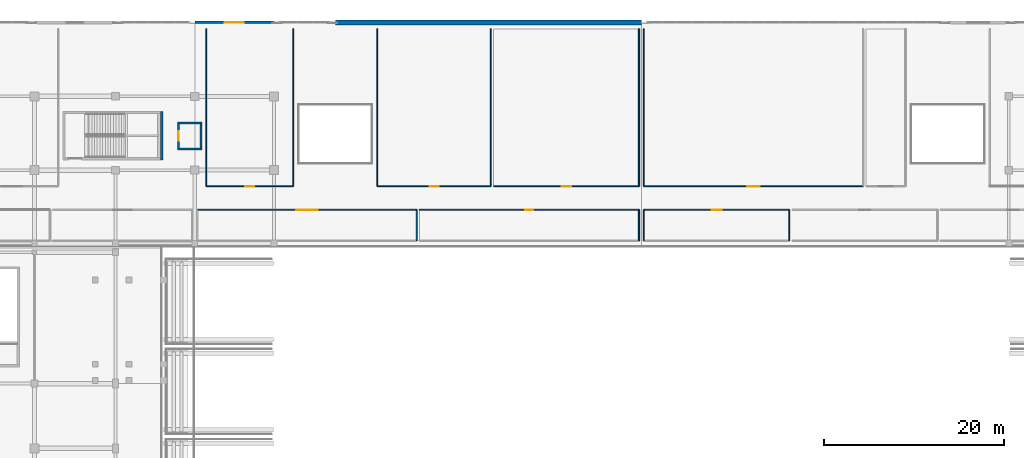
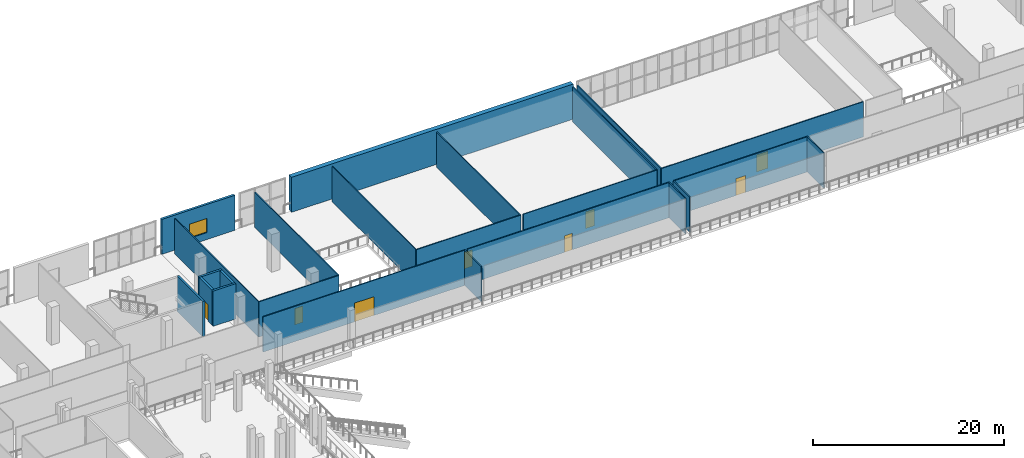
# One storey, part 86 of 129: 24 walls, 8 doors, 1 window, 9 openings.
"""IFC4 building model written with IfcOpenShell, lengths in metres."""

from ifc_helpers import new_model, si_unit, direction, frame, frame_2d, origin, place, context, subcontext, project, spatial, rectangle, extrude, material, layer, layer_set, type_object, element, fill, save


model = new_model("IFC4")

# Units and contexts
model_context = context("Model", 3, precision=1e-05, world=origin(), true_north=direction((0.0, 1.0)))
body_context = subcontext(model_context, "Body", "Model", "MODEL_VIEW")
ifc_project = project(units=[si_unit("LENGTHUNIT", "METRE"), si_unit("AREAUNIT", "SQUARE_METRE"), si_unit("VOLUMEUNIT", "CUBIC_METRE"), si_unit("PLANEANGLEUNIT", "RADIAN"), si_unit("MASSUNIT", "GRAM", prefix="KILO")], contexts=[model_context])

# Site, building, storey
site_placement = place(None, origin())
site = spatial("IfcSite", under=ifc_project, at=site_placement, CompositionType="ELEMENT")
building_placement = place(site_placement, origin())
building = spatial("IfcBuilding", under=site, at=building_placement, Name="Koshinbarg Plaza Stadium", CompositionType="ELEMENT")
storey_placement = place(building_placement, frame((0.0, 0.0, 5.39990234375)))
storey = spatial("IfcBuildingStorey", under=building, at=storey_placement, Name="L01", CompositionType="ELEMENT", Elevation=5.39990234375)

# Walls
ifc_material_1 = material(Name="Concrete C40/50", Category="concrete")
ifc_layer_1 = layer(ifc_material_1, 0.25)
ifc_layer_set_1 = layer_set([ifc_layer_1], Name="Concrete C40/50")
wall_type_1 = type_object("IfcWallType", Name="WL-CORE-250", PredefinedType="SHEAR", material=ifc_layer_set_1)
wall_1_placement = place(storey_placement, frame((68.72509765625, 136.75, 0.0), z_axis=(0.0, 0.0, 1.0), x_axis=(0.0, 1.0, 0.0)))
element("IfcWall", 1, at=wall_1_placement, inside=storey, type_object=wall_type_1, Name="L01 core stair shear wall C11-far IWL-L01-0263", PredefinedType="SHEAR", context=body_context, shape_type="SweptSolid", body=[
    extrude(rectangle(XDim=5.3701171875, YDim=0.25, at=frame_2d((2.68505859375, 0.0))), origin(), (0.0, 0.0, 1.0), 4.5),
])
for number, where, z_axis, x_axis, name in (
    (2, (70.47509765625, 137.949951171875, 0.0), (0.0, 0.0, 1.0), (1.0, 0.0, 0.0), "L01 lift shaft shear wall LP07-S IWL-L01-0962"),
    (3, (73.22509765625, 140.85009765625, 0.0), (0.0, 0.0, 1.0), (-1.0, 0.0, 0.0), "L01 lift shaft shear wall LP07-N IWL-L01-0963"),
):
    element("IfcWall", number, at=place(storey_placement, frame(where, z_axis=z_axis, x_axis=x_axis)), inside=storey, type_object=wall_type_1, Name=name, PredefinedType="SHEAR", context=body_context, shape_type="SweptSolid", body=[
        extrude(rectangle(XDim=2.75, YDim=0.25, at=frame_2d((1.375, 0.0))), origin(), (0.0, 0.0, 1.0), 4.5),
    ])

# Wall, opening, door
wall_2_placement = place(storey_placement, frame((70.60009765625, 140.85009765625, 0.0), z_axis=(0.0, 0.0, 1.0), x_axis=(0.0, -1.0, 0.0)))
wall_2 = element("IfcWall", 4, at=wall_2_placement, inside=storey, type_object=wall_type_1, Name="L01 lift shaft shear wall LP07-W IWL-L01-0964", PredefinedType="SHEAR", context=body_context, shape_type="SweptSolid", body=[
    extrude(rectangle(XDim=2.900146484375, YDim=0.25, at=frame_2d((1.4501953125, 0.0))), origin(), (0.0, 0.0, 1.0), 4.5),
])
opening_1_placement = place(wall_2_placement, frame((0.925048828125, 0.0, 0.0)))
opening_1 = element("IfcOpeningElement", 5, at=opening_1_placement, cuts=wall_2, Name="Opening D-0310", PredefinedType="OPENING", context=body_context, shape_type="SweptSolid", body=[
    extrude(rectangle(XDim=1.050048828125, YDim=2.14990234375, at=frame_2d((0.52490234375, 1.074951171875))), frame((0.0, 0.135009765625, 0.0), z_axis=(0.0, -1.0, 0.0), x_axis=(1.0, 0.0, 0.0)), (0.0, 0.0, 1.0), 0.27001953125),
])
ifc_material_2 = material(Name="Brushed stainless steel sliding lift landing door", Category="steel")
door_type_1 = type_object("IfcDoorType", Name="DR-LIFT-1050", OperationType="NOTDEFINED", PredefinedType="DOOR", material=ifc_material_2)
door_1_placement = place(opening_1_placement, origin())
door_1 = element("IfcDoor", 6, at=door_1_placement, inside=storey, type_object=door_type_1, Name="L01 lift landing door LP07", OperationType="SLIDING_TO_RIGHT", OverallHeight=2.14990234375, OverallWidth=1.050048828125, PredefinedType="DOOR", context=body_context, shape_type="SweptSolid", body=[
    extrude(rectangle(XDim=1.050048828125, YDim=2.14990234375, at=frame_2d((0.52490234375, 1.074951171875))), frame((0.0, 0.02490234375, 0.0), z_axis=(0.0, -1.0, 0.0), x_axis=(1.0, 0.0, 0.0)), (0.0, 0.0, 1.0), 0.050048828125),
])
fill(opening_1, door_1)

# Wall
wall_3_placement = place(storey_placement, frame((73.10009765625, 137.949951171875, 0.0), z_axis=(0.0, 0.0, 1.0), x_axis=(0.0, 1.0, 0.0)))
element("IfcWall", 7, at=wall_3_placement, inside=storey, type_object=wall_type_1, Name="L01 lift shaft shear wall LP07-E IWL-L01-0965", PredefinedType="SHEAR", context=body_context, shape_type="SweptSolid", body=[
    extrude(rectangle(XDim=2.900146484375, YDim=0.25, at=frame_2d((1.4501953125, 0.0))), origin(), (0.0, 0.0, 1.0), 4.5),
])

# Wall, opening, window
ifc_material_3 = material(Name="Terracotta-ochre mineral plaster insulated wall", Category="masonry")
ifc_layer_2 = layer(ifc_material_3, 0.280029296875)
ifc_layer_set_2 = layer_set([ifc_layer_2], Name="Terracotta-ochre mineral plaster insulated wall")
wall_type_2 = type_object("IfcWallType", Name="WL-EXT-280", PredefinedType="SOLIDWALL", material=ifc_layer_set_2)
wall_4_placement = place(storey_placement, frame((72.39990234375, 152.0, 0.0), z_axis=(0.0, 0.0, 1.0), x_axis=(1.0, 0.0, 0.0)))
wall_4 = element("IfcWall", 8, at=wall_4_placement, inside=storey, type_object=wall_type_2, Name="L01 exterior envelope wall EWL-L01-0084", PredefinedType="SOLIDWALL", context=body_context, shape_type="SweptSolid", body=[
    extrude(rectangle(XDim=8.800048828125, YDim=0.280029296875, at=frame_2d((4.39990234375, 0.0))), origin(), (0.0, 0.0, 1.0), 4.47998046875),
])
opening_2_placement = place(wall_4_placement, frame((3.35009765625, 0.0, 0.89990234375)))
opening_2 = element("IfcOpeningElement", 9, at=opening_2_placement, cuts=wall_4, Name="Opening WN10", PredefinedType="OPENING", context=body_context, shape_type="SweptSolid", body=[
    extrude(rectangle(XDim=2.10009765625, YDim=1.800048828125, at=frame_2d((1.050048828125, 0.89990234375))), frame((0.0, 0.14990234375, 0.0), z_axis=(0.0, -1.0, 0.0), x_axis=(1.0, 0.0, 0.0)), (0.0, 0.0, 1.0), 0.300048828125),
])
ifc_material_4 = material(Name="Solar-control double glazing in thermally broken aluminium frame", Category="aluminium")
window_type = type_object("IfcWindowType", Name="WN-FAC-10", PartitioningType="DOUBLE_PANEL_VERTICAL", PredefinedType="WINDOW", material=ifc_material_4)
window_placement = place(opening_2_placement, origin())
window = element("IfcWindow", 10, at=window_placement, inside=storey, type_object=window_type, Name="L01 facade window 0026", OverallHeight=1.800048828125, OverallWidth=2.10009765625, PartitioningType="SINGLE_PANEL", PredefinedType="WINDOW", context=body_context, shape_type="SweptSolid", body=[
    extrude(rectangle(XDim=2.10009765625, YDim=1.800048828125, at=frame_2d((1.050048828125, 0.89990234375))), frame((0.0, 0.030029296875, 0.0), z_axis=(0.0, -1.0, 0.0), x_axis=(1.0, 0.0, 0.0)), (0.0, 0.0, 1.0), 0.06005859375),
])
fill(opening_2, window)

# Wall
ifc_material_5 = material(Name="Gypsum board metal-stud acoustic partition")
ifc_layer_3 = layer(ifc_material_5, 0.1201171875)
ifc_layer_set_3 = layer_set([ifc_layer_3], Name="Gypsum board metal-stud acoustic partition")
wall_type_3 = type_object("IfcWallType", Name="WL-PART-120", PredefinedType="PARTITIONING", material=ifc_layer_set_3)
wall_5_placement = place(storey_placement, frame((97.050048828125, 127.7451171875, 0.0), z_axis=(0.0, 0.0, 1.0), x_axis=(0.0, 1.0, 0.0)))
element("IfcWall", 11, at=wall_5_placement, inside=storey, type_object=wall_type_3, Name="L01 interior partition L01-120-east IWL-L01-1459", PredefinedType="PARTITIONING", context=body_context, shape_type="SweptSolid", body=[
    extrude(rectangle(XDim=3.454833984375, YDim=0.1201171875, at=frame_2d((1.7275390625, 0.0))), origin(), (0.0, 0.0, 1.0), 4.5),
])

# Wall, opening, door
wall_6_placement = place(storey_placement, frame((97.050048828125, 131.199951171875, 0.0), z_axis=(0.0, 0.0, 1.0), x_axis=(-1.0, 0.0, 0.0)))
wall_6 = element("IfcWall", 12, at=wall_6_placement, inside=storey, type_object=wall_type_3, Name="L01 interior partition L01-120-north IWL-L01-1460", PredefinedType="PARTITIONING", context=body_context, shape_type="SweptSolid", body=[
    extrude(rectangle(XDim=24.380126953125, YDim=0.1201171875, at=frame_2d((12.18994140625, 0.0))), origin(), (0.0, 0.0, 1.0), 4.5),
])
opening_3_placement = place(wall_6_placement, frame((11.010009765625, 0.0, 0.0)))
opening_3 = element("IfcOpeningElement", 13, at=opening_3_placement, cuts=wall_6, Name="Opening D-0486", PredefinedType="OPENING", context=body_context, shape_type="SweptSolid", body=[
    extrude(rectangle(XDim=2.360107421875, YDim=2.39990234375, at=frame_2d((1.18017578125, 1.199951171875))), frame((0.0, 0.070068359375, 0.0), z_axis=(0.0, -1.0, 0.0), x_axis=(1.0, 0.0, 0.0)), (0.0, 0.0, 1.0), 0.14013671875),
])
ifc_material_6 = material(Name="Powder-coated steel and tempered glass double door", Category="steel")
door_type_2 = type_object("IfcDoorType", Name="DR-INT-2360x2400", OperationType="NOTDEFINED", PredefinedType="DOOR", material=ifc_material_6)
door_2_placement = place(opening_3_placement, origin())
door_2 = element("IfcDoor", 14, at=door_2_placement, inside=storey, type_object=door_type_2, Name="L01 North Concourse Promenade door D-0486", OperationType="DOUBLE_DOOR_SINGLE_SWING", OverallHeight=2.39990234375, OverallWidth=2.360107421875, PredefinedType="DOOR", context=body_context, shape_type="SweptSolid", body=[
    extrude(rectangle(XDim=2.360107421875, YDim=2.39990234375, at=frame_2d((1.18017578125, 1.199951171875))), frame((0.0, 0.02490234375, 0.0), z_axis=(0.0, -1.0, 0.0), x_axis=(1.0, 0.0, 0.0)), (0.0, 0.0, 1.0), 0.050048828125),
])
fill(opening_3, door_2)

# Wall
wall_7_placement = place(storey_placement, frame((121.72998046875, 127.7451171875, 0.0), z_axis=(0.0, 0.0, 1.0), x_axis=(0.0, 1.0, 0.0)))
element("IfcWall", 15, at=wall_7_placement, inside=storey, type_object=wall_type_3, Name="L01 interior partition L01-121-east IWL-L01-1463", PredefinedType="PARTITIONING", context=body_context, shape_type="SweptSolid", body=[
    extrude(rectangle(XDim=3.454833984375, YDim=0.1201171875, at=frame_2d((1.7275390625, 0.0))), origin(), (0.0, 0.0, 1.0), 4.5),
])

# Wall, opening, door
wall_8_placement = place(storey_placement, frame((121.72998046875, 131.199951171875, 0.0), z_axis=(0.0, 0.0, 1.0), x_axis=(-1.0, 0.0, 0.0)))
wall_8 = element("IfcWall", 16, at=wall_8_placement, inside=storey, type_object=wall_type_3, Name="L01 interior partition L01-121-north IWL-L01-1464", PredefinedType="PARTITIONING", context=body_context, shape_type="SweptSolid", body=[
    extrude(rectangle(XDim=24.3798828125, YDim=0.1201171875, at=frame_2d((12.18994140625, 0.0))), origin(), (0.0, 0.0, 1.0), 4.5),
])
opening_4_placement = place(wall_8_placement, frame((11.72998046875, 0.0, 0.0)))
opening_4 = element("IfcOpeningElement", 17, at=opening_4_placement, cuts=wall_8, Name="Opening D-0487", PredefinedType="OPENING", context=body_context, shape_type="SweptSolid", body=[
    extrude(rectangle(XDim=0.919921875, YDim=2.10009765625, at=frame_2d((0.4599609375, 1.050048828125))), frame((0.0, 0.070068359375, 0.0), z_axis=(0.0, -1.0, 0.0), x_axis=(1.0, 0.0, 0.0)), (0.0, 0.0, 1.0), 0.14013671875),
])
ifc_material_7 = material(Name="Solid-core oak veneer acoustic door")
door_type_3 = type_object("IfcDoorType", Name="DR-INT-0920x2100", OperationType="NOTDEFINED", PredefinedType="DOOR", material=ifc_material_7)
door_3_placement = place(opening_4_placement, origin())
door_3 = element("IfcDoor", 18, at=door_3_placement, inside=storey, type_object=door_type_3, Name="L01 Interactive Football Exhibition Hall door D-0487", OperationType="SINGLE_SWING_LEFT", OverallHeight=2.10009765625, OverallWidth=0.919921875, PredefinedType="DOOR", context=body_context, shape_type="SweptSolid", body=[
    extrude(rectangle(XDim=0.919921875, YDim=2.10009765625, at=frame_2d((0.4599609375, 1.050048828125))), frame((0.0, 0.02490234375, 0.0), z_axis=(0.0, -1.0, 0.0), x_axis=(1.0, 0.0, 0.0)), (0.0, 0.0, 1.0), 0.050048828125),
])
fill(opening_4, door_3)

wall_9_placement = place(storey_placement, frame((73.679931640625, 133.800048828125, 0.0), z_axis=(0.0, 0.0, 1.0), x_axis=(1.0, 0.0, 0.0)))
wall_9 = element("IfcWall", 19, at=wall_9_placement, inside=storey, type_object=wall_type_3, Name="L01 interior partition L01-122-south IWL-L01-1465", PredefinedType="PARTITIONING", context=body_context, shape_type="SweptSolid", body=[
    extrude(rectangle(XDim=9.64013671875, YDim=0.1201171875, at=frame_2d((4.820068359375, 0.0))), origin(), (0.0, 0.0, 1.0), 4.5),
])
opening_5_placement = place(wall_9_placement, frame((4.340087890625, 0.0, 0.0)))
opening_5 = element("IfcOpeningElement", 20, at=opening_5_placement, cuts=wall_9, Name="Opening D-0488", PredefinedType="OPENING", context=body_context, shape_type="SweptSolid", body=[
    extrude(rectangle(XDim=0.9599609375, YDim=2.10009765625, at=frame_2d((0.47998046875, 1.050048828125))), frame((0.0, 0.070068359375, 0.0), z_axis=(0.0, -1.0, 0.0), x_axis=(1.0, 0.0, 0.0)), (0.0, 0.0, 1.0), 0.14013671875),
])
door_type_4 = type_object("IfcDoorType", Name="DR-INT-0960x2100", OperationType="NOTDEFINED", PredefinedType="DOOR", material=ifc_material_7)
door_4_placement = place(opening_5_placement, origin())
door_4 = element("IfcDoor", 21, at=door_4_placement, inside=storey, type_object=door_type_4, Name="L01 Interactive Football Exhibition Hall door D-0488", OperationType="SINGLE_SWING_RIGHT", OverallHeight=2.10009765625, OverallWidth=0.9599609375, PredefinedType="DOOR", context=body_context, shape_type="SweptSolid", body=[
    extrude(rectangle(XDim=0.9599609375, YDim=2.10009765625, at=frame_2d((0.47998046875, 1.050048828125))), frame((0.0, 0.02490234375, 0.0), z_axis=(0.0, -1.0, 0.0), x_axis=(1.0, 0.0, 0.0)), (0.0, 0.0, 1.0), 0.050048828125),
])
fill(opening_5, door_4)

# Walls
for number, where, z_axis, x_axis, name in (
    (22, (83.320068359375, 133.800048828125, 0.0), (0.0, 0.0, 1.0), (0.0, 1.0, 0.0), "L01 interior partition L01-122-east IWL-L01-1466"),
    (23, (73.679931640625, 151.300048828125, 0.0), (0.0, 0.0, 1.0), (0.0, -1.0, 0.0), "L01 interior partition L01-122-west IWL-L01-1467"),
):
    element("IfcWall", number, at=place(storey_placement, frame(where, z_axis=z_axis, x_axis=x_axis)), inside=storey, type_object=wall_type_3, Name=name, PredefinedType="PARTITIONING", context=body_context, shape_type="SweptSolid", body=[
        extrude(rectangle(XDim=17.5, YDim=0.1201171875, at=frame_2d((8.75, 0.0))), origin(), (0.0, 0.0, 1.0), 4.5),
    ])

# Wall, opening, door
wall_10_placement = place(storey_placement, frame((92.679931640625, 133.800048828125, 0.0), z_axis=(0.0, 0.0, 1.0), x_axis=(1.0, 0.0, 0.0)))
wall_10 = element("IfcWall", 24, at=wall_10_placement, inside=storey, type_object=wall_type_3, Name="L01 interior partition L01-123-south IWL-L01-1468", PredefinedType="PARTITIONING", context=body_context, shape_type="SweptSolid", body=[
    extrude(rectangle(XDim=12.5966796875, YDim=0.1201171875, at=frame_2d((6.29833984375, 0.0))), origin(), (0.0, 0.0, 1.0), 4.5),
])
opening_6_placement = place(wall_10_placement, frame((5.79833984375, 0.0, 0.0)))
opening_6 = element("IfcOpeningElement", 25, at=opening_6_placement, cuts=wall_10, Name="Opening D-0489", PredefinedType="OPENING", context=body_context, shape_type="SweptSolid", body=[
    extrude(rectangle(XDim=1.0, YDim=2.10009765625, at=frame_2d((0.5, 1.050048828125))), frame((0.0, 0.070068359375, 0.0), z_axis=(0.0, -1.0, 0.0), x_axis=(1.0, 0.0, 0.0)), (0.0, 0.0, 1.0), 0.14013671875),
])
ifc_material_8 = material(Name="Solid-core laminate accessible WC door")
door_type_5 = type_object("IfcDoorType", Name="DR-INT-1000x2100", OperationType="NOTDEFINED", PredefinedType="DOOR", material=ifc_material_8)
door_5_placement = place(opening_6_placement, origin())
door_5 = element("IfcDoor", 26, at=door_5_placement, inside=storey, type_object=door_type_5, Name="L01 Museum Lecture Salon door D-0489", OperationType="SINGLE_SWING_LEFT", OverallHeight=2.10009765625, OverallWidth=1.0, PredefinedType="DOOR", context=body_context, shape_type="SweptSolid", body=[
    extrude(rectangle(XDim=1.0, YDim=2.10009765625, at=frame_2d((0.5, 1.050048828125))), frame((0.0, 0.02490234375, 0.0), z_axis=(0.0, -1.0, 0.0), x_axis=(1.0, 0.0, 0.0)), (0.0, 0.0, 1.0), 0.050048828125),
])
fill(opening_6, door_5)

# Walls
for number, where, z_axis, x_axis, name in (
    (27, (105.276611328125, 133.800048828125, 0.0), (0.0, 0.0, 1.0), (0.0, 1.0, 0.0), "L01 interior partition L01-123-east IWL-L01-1469"),
    (28, (92.679931640625, 151.300048828125, 0.0), (0.0, 0.0, 1.0), (0.0, -1.0, 0.0), "L01 interior partition L01-123-west IWL-L01-1470"),
):
    element("IfcWall", number, at=place(storey_placement, frame(where, z_axis=z_axis, x_axis=x_axis)), inside=storey, type_object=wall_type_3, Name=name, PredefinedType="PARTITIONING", context=body_context, shape_type="SweptSolid", body=[
        extrude(rectangle(XDim=17.5, YDim=0.1201171875, at=frame_2d((8.75, 0.0))), origin(), (0.0, 0.0, 1.0), 4.5),
    ])

# Wall, opening, door
wall_11_placement = place(storey_placement, frame((105.57666015625, 133.800048828125, 0.0), z_axis=(0.0, 0.0, 1.0), x_axis=(1.0, 0.0, 0.0)))
wall_11 = element("IfcWall", 29, at=wall_11_placement, inside=storey, type_object=wall_type_3, Name="L01 interior partition L01-124-south IWL-L01-1471", PredefinedType="PARTITIONING", context=body_context, shape_type="SweptSolid", body=[
    extrude(rectangle(XDim=16.1533203125, YDim=0.1201171875, at=frame_2d((8.07666015625, 0.0))), origin(), (0.0, 0.0, 1.0), 4.5),
])
opening_7_placement = place(wall_11_placement, frame((7.5517578125, 0.0, 0.0)))
opening_7 = element("IfcOpeningElement", 30, at=opening_7_placement, cuts=wall_11, Name="Opening D-0490", PredefinedType="OPENING", context=body_context, shape_type="SweptSolid", body=[
    extrude(rectangle(XDim=1.050048828125, YDim=2.14990234375, at=frame_2d((0.52490234375, 1.074951171875))), frame((0.0, 0.070068359375, 0.0), z_axis=(0.0, -1.0, 0.0), x_axis=(1.0, 0.0, 0.0)), (0.0, 0.0, 1.0), 0.14013671875),
])
ifc_material_9 = material(Name="Solid-core oak suite entrance door")
door_type_6 = type_object("IfcDoorType", Name="DR-INT-1050x2150", OperationType="NOTDEFINED", PredefinedType="DOOR", material=ifc_material_9)
door_6_placement = place(opening_7_placement, origin())
door_6 = element("IfcDoor", 31, at=door_6_placement, inside=storey, type_object=door_type_6, Name="L01 Sports Museum Upper Hall door D-0490", OperationType="SINGLE_SWING_RIGHT", OverallHeight=2.14990234375, OverallWidth=1.050048828125, PredefinedType="DOOR", context=body_context, shape_type="SweptSolid", body=[
    extrude(rectangle(XDim=1.050048828125, YDim=2.14990234375, at=frame_2d((0.52490234375, 1.074951171875))), frame((0.0, 0.02490234375, 0.0), z_axis=(0.0, -1.0, 0.0), x_axis=(1.0, 0.0, 0.0)), (0.0, 0.0, 1.0), 0.050048828125),
])
fill(opening_7, door_6)

# Walls
wall_12_placement = place(storey_placement, frame((121.72998046875, 133.800048828125, 0.0), z_axis=(0.0, 0.0, 1.0), x_axis=(0.0, 1.0, 0.0)))
element("IfcWall", 32, at=wall_12_placement, inside=storey, type_object=wall_type_3, Name="L01 interior partition L01-124-east IWL-L01-1472", PredefinedType="PARTITIONING", context=body_context, shape_type="SweptSolid", body=[
    extrude(rectangle(XDim=17.5, YDim=0.1201171875, at=frame_2d((8.75, 0.0))), origin(), (0.0, 0.0, 1.0), 4.5),
])
wall_13_placement = place(storey_placement, frame((138.42333984375, 127.7451171875, 0.0), z_axis=(0.0, 0.0, 1.0), x_axis=(0.0, 1.0, 0.0)))
element("IfcWall", 33, at=wall_13_placement, inside=storey, type_object=wall_type_3, Name="L01 interior partition L01-125-east IWL-L01-1474", PredefinedType="PARTITIONING", context=body_context, shape_type="SweptSolid", body=[
    extrude(rectangle(XDim=3.454833984375, YDim=0.1201171875, at=frame_2d((1.7275390625, 0.0))), origin(), (0.0, 0.0, 1.0), 4.5),
])

# Wall, opening, door
wall_14_placement = place(storey_placement, frame((138.42333984375, 131.199951171875, 0.0), z_axis=(0.0, 0.0, 1.0), x_axis=(-1.0, 0.0, 0.0)))
wall_14 = element("IfcWall", 34, at=wall_14_placement, inside=storey, type_object=wall_type_3, Name="L01 interior partition L01-125-north IWL-L01-1475", PredefinedType="PARTITIONING", context=body_context, shape_type="SweptSolid", body=[
    extrude(rectangle(XDim=16.1533203125, YDim=0.1201171875, at=frame_2d((8.07666015625, 0.0))), origin(), (0.0, 0.0, 1.0), 4.5),
])
opening_8_placement = place(wall_14_placement, frame((7.5166015625, 0.0, 0.0)))
opening_8 = element("IfcOpeningElement", 35, at=opening_8_placement, cuts=wall_14, Name="Opening D-0491", PredefinedType="OPENING", context=body_context, shape_type="SweptSolid", body=[
    extrude(rectangle(XDim=1.1201171875, YDim=2.14990234375, at=frame_2d((0.56005859375, 1.074951171875))), frame((0.0, 0.070068359375, 0.0), z_axis=(0.0, -1.0, 0.0), x_axis=(1.0, 0.0, 0.0)), (0.0, 0.0, 1.0), 0.14013671875),
])
ifc_material_10 = material(Name="Acoustic timber broadcast studio door", Category="wood")
door_type_7 = type_object("IfcDoorType", Name="DR-INT-1120x2150", OperationType="NOTDEFINED", PredefinedType="DOOR", material=ifc_material_10)
door_7_placement = place(opening_8_placement, origin())
door_7 = element("IfcDoor", 36, at=door_7_placement, inside=storey, type_object=door_type_7, Name="L01 Interactive Football Exhibition Hall door D-0491", OperationType="SINGLE_SWING_LEFT", OverallHeight=2.14990234375, OverallWidth=1.1201171875, PredefinedType="DOOR", context=body_context, shape_type="SweptSolid", body=[
    extrude(rectangle(XDim=1.1201171875, YDim=2.14990234375, at=frame_2d((0.56005859375, 1.074951171875))), frame((0.0, 0.02490234375, 0.0), z_axis=(0.0, -1.0, 0.0), x_axis=(1.0, 0.0, 0.0)), (0.0, 0.0, 1.0), 0.050048828125),
])
fill(opening_8, door_7)

# Wall
wall_15_placement = place(storey_placement, frame((122.27001953125, 131.199951171875, 0.0), z_axis=(0.0, 0.0, 1.0), x_axis=(0.0, -1.0, 0.0)))
element("IfcWall", 37, at=wall_15_placement, inside=storey, type_object=wall_type_3, Name="L01 interior partition L01-125-west IWL-L01-1476", PredefinedType="PARTITIONING", context=body_context, shape_type="SweptSolid", body=[
    extrude(rectangle(XDim=3.454833984375, YDim=0.1201171875, at=frame_2d((1.7275390625, 0.0))), origin(), (0.0, 0.0, 1.0), 4.5),
])

# Wall, opening, door
wall_16_placement = place(storey_placement, frame((122.27001953125, 133.800048828125, 0.0), z_axis=(0.0, 0.0, 1.0), x_axis=(1.0, 0.0, 0.0)))
wall_16 = element("IfcWall", 38, at=wall_16_placement, inside=storey, type_object=wall_type_3, Name="L01 interior partition L01-128-south IWL-L01-1483", PredefinedType="PARTITIONING", context=body_context, shape_type="SweptSolid", body=[
    extrude(rectangle(XDim=24.3798828125, YDim=0.1201171875, at=frame_2d((12.18994140625, 0.0))), origin(), (0.0, 0.0, 1.0), 4.5),
])
opening_9_placement = place(wall_16_placement, frame((11.489990234375, 0.0, 0.0)))
opening_9 = element("IfcOpeningElement", 39, at=opening_9_placement, cuts=wall_16, Name="Opening D-0494", PredefinedType="OPENING", context=body_context, shape_type="SweptSolid", body=[
    extrude(rectangle(XDim=1.39990234375, YDim=2.199951171875, at=frame_2d((0.699951171875, 1.10009765625))), frame((0.0, 0.070068359375, 0.0), z_axis=(0.0, -1.0, 0.0), x_axis=(1.0, 0.0, 0.0)), (0.0, 0.0, 1.0), 0.14013671875),
])
ifc_material_11 = material(Name="Stainless-clad solid-core timber double fire door", Category="wood")
door_type_8 = type_object("IfcDoorType", Name="DR-INT-1400x2200", OperationType="NOTDEFINED", PredefinedType="DOOR", material=ifc_material_11)
door_8_placement = place(opening_9_placement, origin())
door_8 = element("IfcDoor", 40, at=door_8_placement, inside=storey, type_object=door_type_8, Name="L01 Museum Lecture Salon door D-0494", OperationType="DOUBLE_DOOR_SINGLE_SWING", OverallHeight=2.199951171875, OverallWidth=1.39990234375, PredefinedType="DOOR", context=body_context, shape_type="SweptSolid", body=[
    extrude(rectangle(XDim=1.39990234375, YDim=2.199951171875, at=frame_2d((0.699951171875, 1.10009765625))), frame((0.0, 0.02490234375, 0.0), z_axis=(0.0, -1.0, 0.0), x_axis=(1.0, 0.0, 0.0)), (0.0, 0.0, 1.0), 0.050048828125),
])
fill(opening_9, door_8)

# Walls
wall_17_placement = place(storey_placement, frame((122.27001953125, 151.300048828125, 0.0), z_axis=(0.0, 0.0, 1.0), x_axis=(0.0, -1.0, 0.0)))
element("IfcWall", 41, at=wall_17_placement, inside=storey, type_object=wall_type_3, Name="L01 interior partition L01-128-west IWL-L01-1485", PredefinedType="PARTITIONING", context=body_context, shape_type="SweptSolid", body=[
    extrude(rectangle(XDim=17.5, YDim=0.1201171875, at=frame_2d((8.75, 0.0))), origin(), (0.0, 0.0, 1.0), 4.5),
])
ifc_layer_4 = layer(ifc_material_1, 0.550048828125)
ifc_layer_set_4 = layer_set([ifc_layer_4], Name="Concrete C40/50")
wall_type_4 = type_object("IfcWallType", Name="WL-PYLON-550", PredefinedType="SHEAR", material=ifc_layer_set_4)
wall_18_placement = place(storey_placement, frame((88.0, 152.0, 0.0), z_axis=(0.0, 0.0, 1.0), x_axis=(1.0, 0.0, 0.0)))
element("IfcWall", 42, at=wall_18_placement, inside=storey, type_object=wall_type_4, Name="L01 exterior shear pylon wall EWL-L01-0085", PredefinedType="SHEAR", context=body_context, shape_type="SweptSolid", body=[
    extrude(rectangle(XDim=34.0, YDim=0.550048828125, at=frame_2d((17.0, 0.0))), origin(), (0.0, 0.0, 1.0), 4.47998046875),
])

save(model, "model.ifc")
